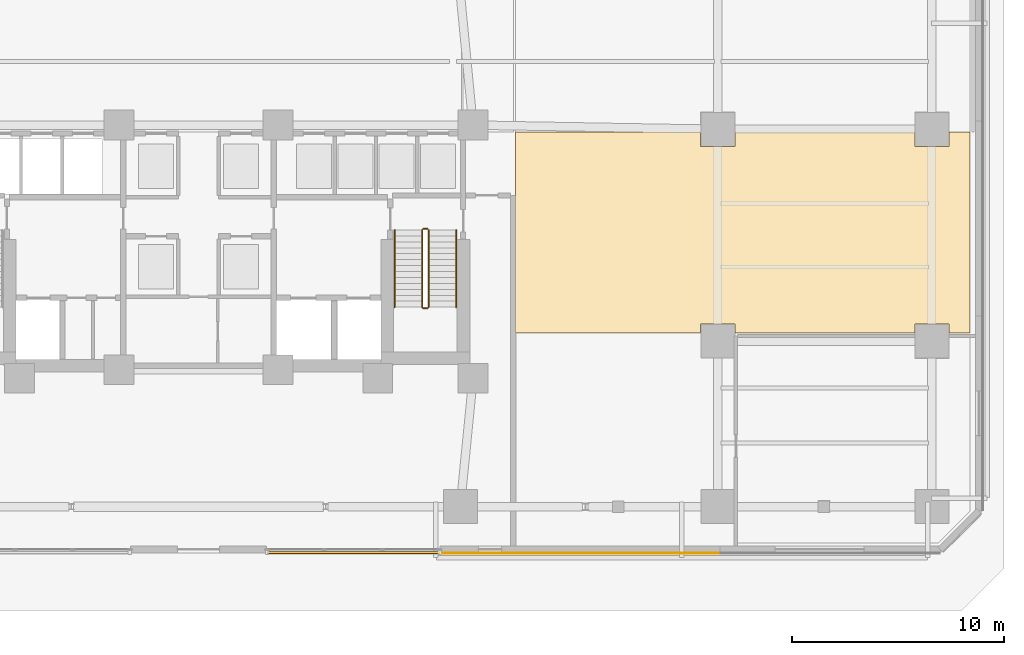
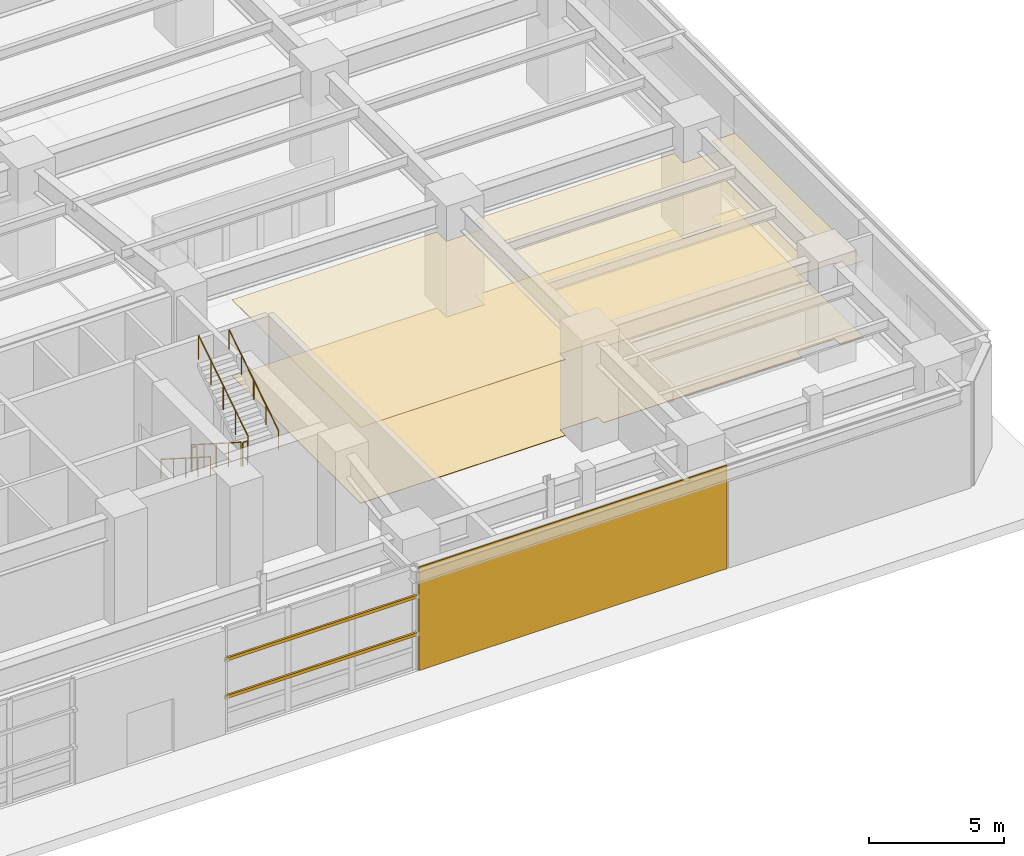
# One storey, part 21 of 26: 6 railings, 3 coverings, 2 shading devices.
"""IFC4 building model written with IfcOpenShell, lengths in metres."""

from ifc_helpers import new_model, si_unit, direction, frame, origin, origin_2d, place, context, subcontext, project, spatial, polyline, rectangle, circle, outline, extrude, material, layer, layer_set, material_profile, profile_set, type_object, element, save


model = new_model("IFC4")

# Units and contexts
model_context = context("Model", 3, precision=1e-05, world=origin(), true_north=direction((0.0, 1.0)))
body_context = subcontext(model_context, "Body", "Model", "MODEL_VIEW")
ifc_project = project(units=[si_unit("LENGTHUNIT", "METRE"), si_unit("AREAUNIT", "SQUARE_METRE"), si_unit("VOLUMEUNIT", "CUBIC_METRE"), si_unit("PLANEANGLEUNIT", "RADIAN"), si_unit("MASSUNIT", "GRAM", prefix="KILO")], contexts=[model_context])

# Site, building, storey
site_placement = place(None, origin())
site = spatial("IfcSite", under=ifc_project, at=site_placement, CompositionType="ELEMENT")
building_placement = place(site_placement, origin())
building = spatial("IfcBuilding", under=site, at=building_placement, Name="Quenlor Broadcast Tower", CompositionType="ELEMENT")
storey_placement = place(building_placement, origin())
storey = spatial("IfcBuildingStorey", under=building, at=storey_placement, Name="L00", CompositionType="ELEMENT", Elevation=0.0)

# Covering
ifc_material_1 = material(Name="Acoustic Mineral Fibre Board", Category="other")
ifc_layer_1 = layer(ifc_material_1, 0.02490234375)
ifc_layer_set_1 = layer_set([ifc_layer_1], Name="Acoustic Perforated Mineral Tile Ceiling 25")
covering_type_1 = type_object("IfcCoveringType", Name="Acoustic Perforated Mineral Tile Ceiling 25", PredefinedType="CEILING", material=ifc_layer_set_1)
covering_1_placement = place(storey_placement, frame((0.0, 0.0, 3.425048828125)))
element("IfcCovering", 1, at=covering_1_placement, inside=storey, type_object=covering_type_1, Name="L00 Acoustic Ceiling L00-41-2", PredefinedType="CEILING", context=body_context, shape_type="SweptSolid", body=[
    extrude(outline(polyline([(36.39990234375, -14.60009765625), (35.407958984375, -14.60009765625), (35.407958984375, -14.19189453125), (33.7919921875, -14.19189453125), (33.7919921875, -14.60009765625), (25.30810546875, -14.60009765625), (25.30810546875, -14.19189453125), (23.69189453125, -14.19189453125), (23.69189453125, -14.60009765625), (14.949951171875, -14.60009765625), (14.949951171875, -5.1201171875), (23.69189453125, -5.1201171875), (23.69189453125, -5.80810546875), (25.30810546875, -5.80810546875), (25.30810546875, -5.1201171875), (33.7919921875, -5.1201171875), (33.7919921875, -5.80810546875), (35.407958984375, -5.80810546875), (35.407958984375, -5.1201171875), (36.39990234375, -5.1201171875), (36.39990234375, -14.60009765625)])), origin(), (0.0, 0.0, 1.0), 0.02490234375),
])

# Shading devices
ifc_material_2 = material(Name="Architectural Terracotta Ceramic", Category="masonry")
ifc_material_profile = material_profile(ifc_material_2, rectangle(XDim=0.090087890625, YDim=0.139892578125, at=origin_2d()))
ifc_profile_set = profile_set([ifc_material_profile], Name="Architectural Terracotta Ceramic BAG90x140")
shading_device_type = type_object("IfcShadingDeviceType", Name="Copper Terracotta Baguette Solar Screen 140", PredefinedType="USERDEFINED", material=ifc_profile_set)
for number, where, z_axis, x_axis, name in (
    (2, (11.35888671875, -24.972900390625, 1.69189453125), (-1.0, 0.0, 0.0), (0.0, -1.0, 0.0), "L00 Terracotta Baguette Screen 1"),
    (3, (11.35888671875, -24.972900390625, 3.384033203125), (-1.0, 0.0, 0.0), (0.0, -1.0, 0.0), "L00 Terracotta Baguette Screen 2"),
):
    element("IfcShadingDevice", number, at=place(storey_placement, frame(where, z_axis=z_axis, x_axis=x_axis)), inside=storey, type_object=shading_device_type, Name=name, ObjectType="BAGUETTE", PredefinedType="USERDEFINED", context=body_context, shape_type="SweptSolid", body=[
        extrude(rectangle(XDim=0.090087890625, YDim=0.139892578125, at=origin_2d()), origin(), (0.0, 0.0, 1.0), 8.117919921875),
    ])

# Coverings
ifc_material_3 = material(Name="Architectural Terracotta Ceramic", Category="masonry")
ifc_layer_2 = layer(ifc_material_3, 0.044921875)
ifc_layer_set_2 = layer_set([ifc_layer_2], Name="Fluted Terracotta Rainscreen Cladding Panel")
covering_type_2 = type_object("IfcCoveringType", Name="Fluted Terracotta Rainscreen Cladding Panel", PredefinedType="CLADDING", material=ifc_layer_set_2)
covering_2_placement = place(storey_placement, frame((0.0, 0.0, 0.02001953125)))
element("IfcCovering", 4, at=covering_2_placement, inside=storey, type_object=covering_type_2, Name="L00 Terracotta Rainscreen Cladding L00-EW-SE", PredefinedType="CLADDING", context=body_context, shape_type="SweptSolid", body=[
    extrude(outline(polyline([(24.570068359375, -24.971923828125), (11.429931640625, -24.971923828125), (11.429931640625, -25.01708984375), (24.570068359375, -25.01708984375), (24.570068359375, -24.971923828125)])), origin(), (0.0, 0.0, 1.0), 4.659912109375),
])
ifc_material_4 = material(Name="Terrazzo Stone Finish", Category="masonry")
ifc_layer_3 = layer(ifc_material_4, 0.02001953125)
ifc_layer_set_3 = layer_set([ifc_layer_3], Name="Polished Sandstone Terrazzo Flooring 20")
covering_type_3 = type_object("IfcCoveringType", Name="Polished Sandstone Terrazzo Flooring 20", PredefinedType="FLOORING", material=ifc_layer_set_3)
covering_3_placement = place(storey_placement, origin())
element("IfcCovering", 5, at=covering_3_placement, inside=storey, type_object=covering_type_3, Name="L00 Terrazzo Flooring L00-41-2", PredefinedType="FLOORING", context=body_context, shape_type="SweptSolid", body=[
    extrude(outline(polyline([(36.39990234375, -14.60009765625), (35.407958984375, -14.60009765625), (35.407958984375, -14.19189453125), (33.7919921875, -14.19189453125), (33.7919921875, -14.60009765625), (25.30810546875, -14.60009765625), (25.30810546875, -14.19189453125), (23.69189453125, -14.19189453125), (23.69189453125, -14.60009765625), (14.949951171875, -14.60009765625), (14.949951171875, -5.1201171875), (23.69189453125, -5.1201171875), (23.69189453125, -5.80810546875), (25.30810546875, -5.80810546875), (25.30810546875, -5.1201171875), (33.7919921875, -5.1201171875), (33.7919921875, -5.80810546875), (35.407958984375, -5.80810546875), (35.407958984375, -5.1201171875), (36.39990234375, -5.1201171875), (36.39990234375, -14.60009765625)])), origin(), (0.0, 0.0, 1.0), 0.02001953125),
])

# Railings
ifc_material_5 = material(Name="Anodised Aluminium", Category="aluminium")
railing_type_1 = type_object("IfcRailingType", Name="Stainless Aluminium Wall Handrail 900", PredefinedType="HANDRAIL", material=ifc_material_5)
railing_1_placement = place(storey_placement, frame((9.25, -9.75, 0.178466796875)))
element("IfcRailing", 6, at=railing_1_placement, inside=storey, type_object=railing_type_1, Name="L00 ST-2 stair handrail 1", PredefinedType="HANDRAIL", context=body_context, shape_type="SweptSolid", body=[
    extrude(circle(Radius=0.02392578125, at=origin_2d()), frame((0.0, 0.0, 0.8759765625), z_axis=(0.0, -0.843111507901, 0.53773877045), x_axis=(1.0, 0.0, 0.0)), (0.0, 0.0, 1.0), 4.317138671875),
    extrude(circle(Radius=0.02099609375, at=origin_2d()), origin(), (0.0, 0.0, 1.0), 0.851806640625),
    extrude(circle(Radius=0.02099609375, at=origin_2d()), frame((0.0, -0.909912109375, 0.580322265625)), (0.0, 0.0, 1.0), 0.851806640625),
    extrude(circle(Radius=0.02099609375, at=origin_2d()), frame((0.0, -1.81982421875, 1.16064453125)), (0.0, 0.0, 1.0), 0.851806640625),
    extrude(circle(Radius=0.02099609375, at=origin_2d()), frame((0.0, -2.72998046875, 1.7412109375)), (0.0, 0.0, 1.0), 0.851806640625),
    extrude(circle(Radius=0.02099609375, at=origin_2d()), frame((0.0, -3.639892578125, 2.321533203125)), (0.0, 0.0, 1.0), 0.851806640625),
])
railing_2_placement = place(storey_placement, frame((12.14990234375, -13.389892578125, 2.678466796875)))
element("IfcRailing", 7, at=railing_2_placement, inside=storey, type_object=railing_type_1, Name="L00 ST-2 stair handrail 2", PredefinedType="HANDRAIL", context=body_context, shape_type="SweptSolid", body=[
    extrude(circle(Radius=0.02392578125, at=origin_2d()), frame((0.0, 0.0, 0.8759765625), z_axis=(0.0, 0.843111507901, 0.53773877045), x_axis=(-1.0, 0.0, 0.0)), (0.0, 0.0, 1.0), 4.317138671875),
    extrude(circle(Radius=0.02099609375, at=origin_2d()), origin(), (0.0, 0.0, 1.0), 0.851806640625),
    extrude(circle(Radius=0.02099609375, at=origin_2d()), frame((0.0, 0.909912109375, 0.580322265625)), (0.0, 0.0, 1.0), 0.851806640625),
    extrude(circle(Radius=0.02099609375, at=origin_2d()), frame((0.0, 1.81982421875, 1.16064453125)), (0.0, 0.0, 1.0), 0.851806640625),
    extrude(circle(Radius=0.02099609375, at=origin_2d()), frame((0.0, 2.72998046875, 1.7412109375)), (0.0, 0.0, 1.0), 0.851806640625),
    extrude(circle(Radius=0.02099609375, at=origin_2d()), frame((0.0, 3.639892578125, 2.321533203125)), (0.0, 0.0, 1.0), 0.851806640625),
])
ifc_material_6 = material(Name="Steel S355", Category="steel")
railing_type_2 = type_object("IfcRailingType", Name="Tubular Steel S355 Stair Guardrail 1100", PredefinedType="BALUSTRADE", material=ifc_material_6)
railing_3_placement = place(storey_placement, frame((10.550048828125, -9.75, 0.178466796875)))
element("IfcRailing", 8, at=railing_3_placement, inside=storey, type_object=railing_type_2, Name="L00 ST-2 stair guard 1", PredefinedType="BALUSTRADE", context=body_context, shape_type="SweptSolid", body=[
    extrude(circle(Radius=0.02392578125, at=origin_2d()), frame((0.0, 0.0, 1.076171875), z_axis=(0.0, -0.843111507901, 0.53773877045), x_axis=(1.0, 0.0, 0.0)), (0.0, 0.0, 1.0), 4.317138671875),
    extrude(circle(Radius=0.02099609375, at=origin_2d()), origin(), (0.0, 0.0, 1.0), 1.052001953125),
    extrude(circle(Radius=0.02099609375, at=origin_2d()), frame((0.0, -0.909912109375, 0.580322265625)), (0.0, 0.0, 1.0), 1.052001953125),
    extrude(circle(Radius=0.02099609375, at=origin_2d()), frame((0.0, -1.81982421875, 1.16064453125)), (0.0, 0.0, 1.0), 1.052001953125),
    extrude(circle(Radius=0.02099609375, at=origin_2d()), frame((0.0, -2.72998046875, 1.7412109375)), (0.0, 0.0, 1.0), 1.052001953125),
    extrude(circle(Radius=0.02099609375, at=origin_2d()), frame((0.0, -3.639892578125, 2.321533203125)), (0.0, 0.0, 1.0), 1.052001953125),
])
railing_4_placement = place(storey_placement, frame((10.60009765625, -13.43994140625, 2.5)))
element("IfcRailing", 9, at=railing_4_placement, inside=storey, type_object=railing_type_2, Name="L00 ST-2 stair guard 2", PredefinedType="BALUSTRADE", context=body_context, shape_type="SweptSolid", body=[
    extrude(circle(Radius=0.02392578125, at=origin_2d()), frame((0.0, 0.0, 1.076171875), z_axis=(1.0, 0.0, 0.0), x_axis=(0.0, 1.0, 0.0)), (0.0, 0.0, 1.0), 0.199951171875),
    extrude(circle(Radius=0.02099609375, at=origin_2d()), origin(), (0.0, 0.0, 1.0), 1.052001953125),
    extrude(circle(Radius=0.02099609375, at=origin_2d()), frame((0.199951171875, 0.0, 0.0)), (0.0, 0.0, 1.0), 1.052001953125),
])
railing_5_placement = place(storey_placement, frame((10.85009765625, -13.389892578125, 2.678466796875)))
element("IfcRailing", 10, at=railing_5_placement, inside=storey, type_object=railing_type_2, Name="L00 ST-2 stair guard 3", PredefinedType="BALUSTRADE", context=body_context, shape_type="SweptSolid", body=[
    extrude(circle(Radius=0.02392578125, at=origin_2d()), frame((0.0, 0.0, 1.076171875), z_axis=(0.0, 0.843111507901, 0.53773877045), x_axis=(-1.0, 0.0, 0.0)), (0.0, 0.0, 1.0), 4.317138671875),
    extrude(circle(Radius=0.02099609375, at=origin_2d()), origin(), (0.0, 0.0, 1.0), 1.052001953125),
    extrude(circle(Radius=0.02099609375, at=origin_2d()), frame((0.0, 0.909912109375, 0.580322265625)), (0.0, 0.0, 1.0), 1.052001953125),
    extrude(circle(Radius=0.02099609375, at=origin_2d()), frame((0.0, 1.81982421875, 1.16064453125)), (0.0, 0.0, 1.0), 1.052001953125),
    extrude(circle(Radius=0.02099609375, at=origin_2d()), frame((0.0, 2.72998046875, 1.7412109375)), (0.0, 0.0, 1.0), 1.052001953125),
    extrude(circle(Radius=0.02099609375, at=origin_2d()), frame((0.0, 3.639892578125, 2.321533203125)), (0.0, 0.0, 1.0), 1.052001953125),
])
railing_6_placement = place(storey_placement, frame((10.60009765625, -9.699951171875, 0.0)))
element("IfcRailing", 11, at=railing_6_placement, inside=storey, type_object=railing_type_2, Name="L00 ST-2 stair guard 4", PredefinedType="BALUSTRADE", context=body_context, shape_type="SweptSolid", body=[
    extrude(circle(Radius=0.02392578125, at=origin_2d()), frame((0.0, 0.0, 1.076171875), z_axis=(1.0, 0.0, 0.0), x_axis=(0.0, 1.0, 0.0)), (0.0, 0.0, 1.0), 0.199951171875),
    extrude(circle(Radius=0.02099609375, at=origin_2d()), origin(), (0.0, 0.0, 1.0), 1.052001953125),
    extrude(circle(Radius=0.02099609375, at=origin_2d()), frame((0.199951171875, 0.0, 0.0)), (0.0, 0.0, 1.0), 1.052001953125),
])

save(model, "model.ifc")
